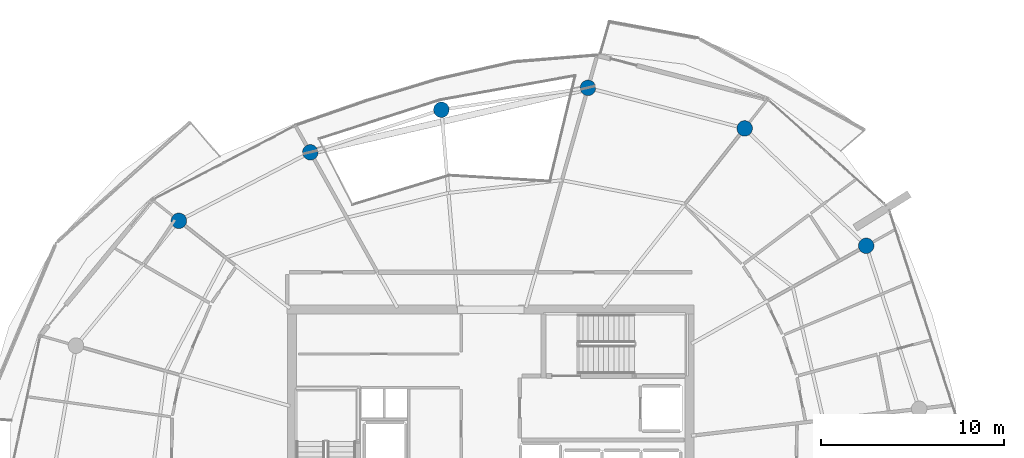
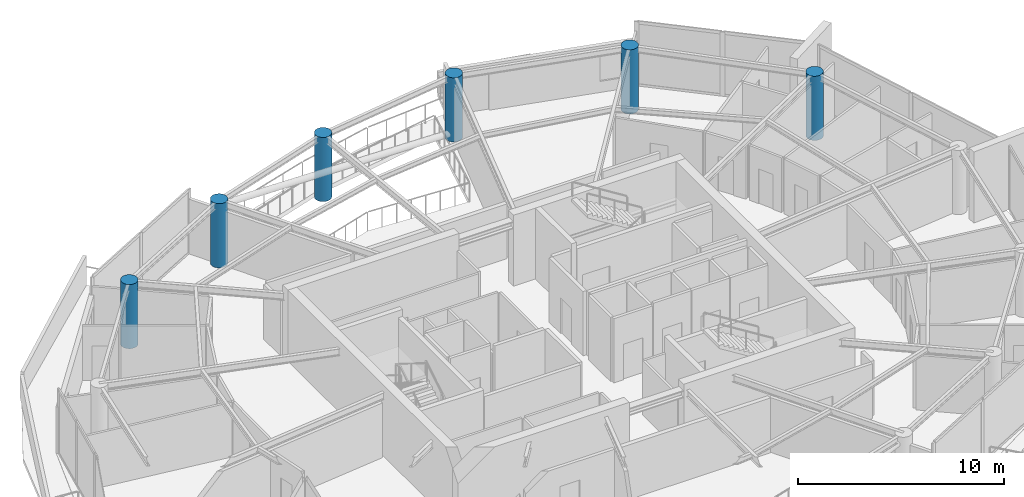
# One storey, part 4 of 21: 6 columns.
"""IFC4 building model written with IfcOpenShell, lengths in metres."""

from ifc_helpers import new_model, si_unit, direction, frame, origin, origin_2d, place, context, subcontext, project, spatial, circle, extrude, material, material_profile, profile_set, type_object, element, save


model = new_model("IFC4")

# Units and contexts
model_context = context("Model", 3, precision=1e-05, world=origin(), true_north=direction((0.0, 1.0)))
body_context = subcontext(model_context, "Body", "Model", "MODEL_VIEW")
ifc_project = project(units=[si_unit("LENGTHUNIT", "METRE"), si_unit("AREAUNIT", "SQUARE_METRE"), si_unit("VOLUMEUNIT", "CUBIC_METRE"), si_unit("PLANEANGLEUNIT", "RADIAN"), si_unit("MASSUNIT", "GRAM", prefix="KILO")], contexts=[model_context])

# Site, building, storey
site_placement = place(None, origin())
site = spatial("IfcSite", under=ifc_project, at=site_placement, CompositionType="ELEMENT")
building_placement = place(site_placement, origin())
building = spatial("IfcBuilding", under=site, at=building_placement, Name="Kazma Halo Residences", CompositionType="ELEMENT")
storey_placement = place(building_placement, frame((0.0, 0.0, 338.89990234375)))
storey = spatial("IfcBuildingStorey", under=building, at=storey_placement, Name="L85", CompositionType="ELEMENT", Elevation=338.89990234375)

# Columns
ifc_material = material(Name="Concrete C60/75", Category="concrete")
ifc_material_profile = material_profile(ifc_material, circle(Radius=0.425048828125, at=origin_2d()), Name="CIRC850")
ifc_profile_set = profile_set([ifc_material_profile], Name="Concrete C60/75")
column_type = type_object("IfcColumnType", Name="COL-PERIM-850", PredefinedType="COLUMN", material=ifc_profile_set)
for number, where, z_axis, x_axis, name in (
    (1, (68.96337890625, 53.739990234375, 0.0), (0.0, 0.0, 1.0), (1.0, 0.0, 0.0), "L85 perimeter ring column P01"),
    (2, (62.31591796875, 60.159423828125, 0.0), (0.0, 0.0, 1.0), (1.0, 0.0, 0.0), "L85 perimeter ring column P02"),
    (3, (53.74658203125, 62.37646484375, 0.0), (0.0, 0.0, 1.0), (1.0, 0.0, 0.0), "L85 perimeter ring column P03"),
    (4, (45.72998046875, 61.17919921875, 0.0), (0.0, 0.0, 1.0), (1.0, 0.0, 0.0), "L85 perimeter ring column P04"),
    (5, (38.563232421875, 58.8505859375, 0.0), (0.0, 0.0, 1.0), (1.0, 0.0, 0.0), "L85 perimeter ring column P05"),
    (6, (31.373779296875, 55.10693359375, 0.0), (0.0, 0.0, 1.0), (1.0, 0.0, 0.0), "L85 perimeter ring column P06"),
):
    element("IfcColumn", number, at=place(storey_placement, frame(where, z_axis=z_axis, x_axis=x_axis)), inside=storey, type_object=column_type, Name=name, PredefinedType="COLUMN", context=body_context, shape_type="SweptSolid", body=[
        extrude(circle(Radius=0.425048828125, at=origin_2d()), origin(), (0.0, 0.0, 1.0), 3.800048828125),
    ])

save(model, "model.ifc")
